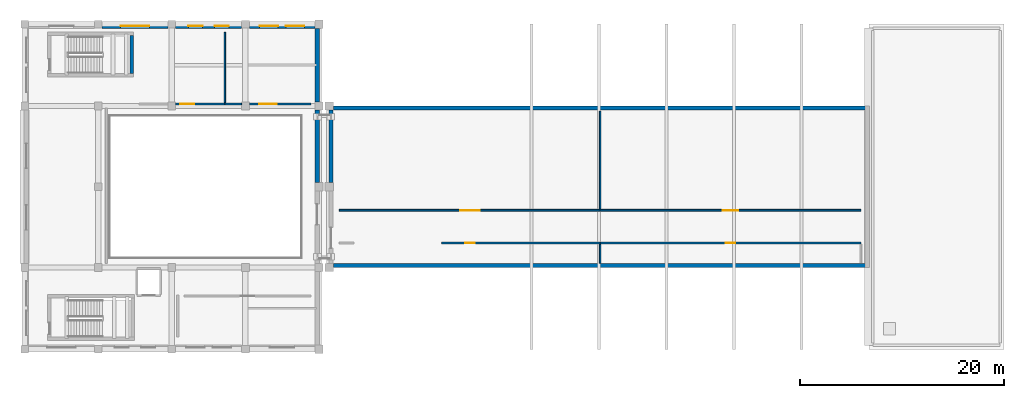
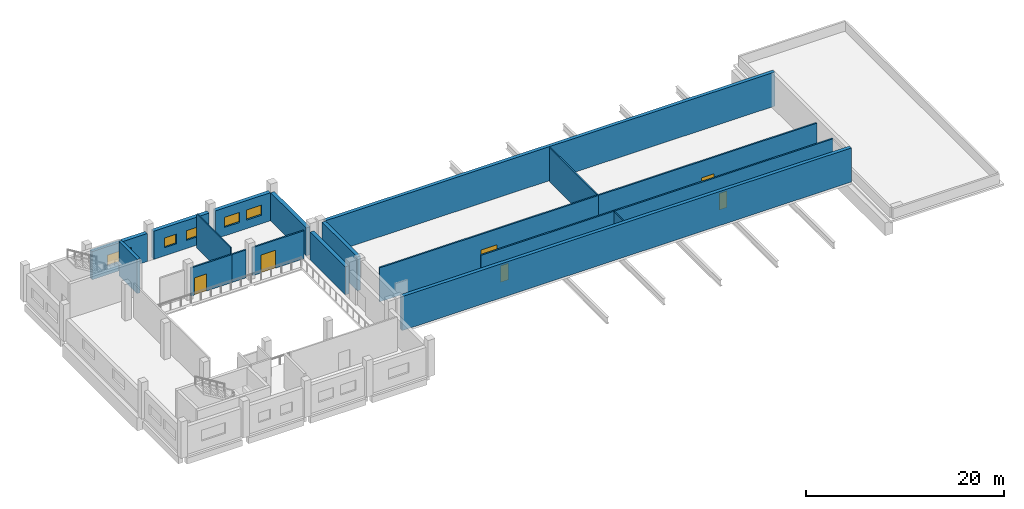
# One storey, part 4 of 7: 19 walls, 6 doors, 5 windows, 11 openings.
"""IFC4 building model written with IfcOpenShell, lengths in metres."""

import ifcopenshell
import ifcopenshell.guid

model = None  # the IFC model being written
_history = None  # IfcOwnerHistory: only IFC2X3 demands one
_inside = {}  # id of a spatial element -> (the spatial element, [elements in it])
_under = {}  # id of a project, library or spatial element -> (it, [spatial elements below it])
_declared = {}  # id of a project -> (the project, [libraries it declares])
_typed = {}  # id of a type object -> (the type object, [elements of that type])
_made_of = {}  # id of a material, layer set ... -> (it, [elements and type objects made of it])


def new_model(schema):
    """Start an empty IFC model of exactly this schema.

    Asked for "IFC4X3", IfcOpenShell would pick the latest addendum, in which some entities
    have other attributes; the version numbers below select the first issue.
    IFC2X3 requires an IfcOwnerHistory on every rooted entity: one is made here for all.
    """
    global model, _history
    if schema == "IFC4X3":
        model = ifcopenshell.file(schema_version=(4, 3, 0, 0))
    else:
        model = ifcopenshell.file(schema=schema)
    _inside.clear()
    _under.clear()
    _declared.clear()
    _typed.clear()
    _made_of.clear()
    _history = None
    if model.schema == "IFC2X3":
        org = make("IfcOrganization", Name="unknown")
        user = make(
            "IfcPersonAndOrganization",
            ThePerson=make("IfcPerson", FamilyName="unknown"),
            TheOrganization=org,
        )
        app = make(
            "IfcApplication",
            ApplicationDeveloper=org,
            Version="unknown",
            ApplicationFullName="unknown",
            ApplicationIdentifier="unknown",
        )
        _history = make(
            "IfcOwnerHistory",
            OwningUser=user,
            OwningApplication=app,
            ChangeAction="ADDED",
            CreationDate=0,
        )
    return model


def make(cls, **values):
    """One entity of the class cls with the attributes given. An attribute that is None is left unset."""
    return model.create_entity(
        cls, **{name: value for name, value in values.items() if value is not None}
    )


def rooted(cls, **values):
    """An entity with a GlobalId (a new one), such as an element, a storey or a relation."""
    return make(cls, GlobalId=ifcopenshell.guid.new(), OwnerHistory=_history, **values)


def si_unit(unit_type, name, prefix=None):
    """IfcSIUnit, for example si_unit("LENGTHUNIT", "METRE", prefix="MILLI")."""
    return make("IfcSIUnit", UnitType=unit_type, Prefix=prefix, Name=name)


def assignment(units):
    """IfcUnitAssignment: the units of a project."""
    return None if units is None else make("IfcUnitAssignment", Units=units)


def point(xyz):
    """IfcCartesianPoint."""
    return None if xyz is None else make("IfcCartesianPoint", Coordinates=xyz)


def direction(xyz):
    """IfcDirection."""
    return None if xyz is None else make("IfcDirection", DirectionRatios=xyz)


def frame(location, z_axis=None, x_axis=None):
    """IfcAxis2Placement3D, a coordinate frame: its origin and axes. An axis left out is left unset."""
    return make(
        "IfcAxis2Placement3D",
        Location=point(location),
        Axis=direction(z_axis),
        RefDirection=direction(x_axis),
    )


def frame_2d(location, x_axis=None):
    """IfcAxis2Placement2D, a coordinate frame in the plane: its origin and x axis."""
    return make(
        "IfcAxis2Placement2D", Location=point(location), RefDirection=direction(x_axis)
    )


def origin():
    """The frame at (0, 0, 0) with its axes left unset."""
    return frame((0.0, 0.0, 0.0))


def place(relative_to, where):
    """IfcLocalPlacement: puts the frame where relative to a parent placement (None: the world)."""
    return make(
        "IfcLocalPlacement", PlacementRelTo=relative_to, RelativePlacement=where
    )


def context(
    kind, dimensions, precision=None, world=None, true_north=None, identifier=None
):
    """IfcGeometricRepresentationContext, for example the 3D "Model" context."""
    return make(
        "IfcGeometricRepresentationContext",
        ContextIdentifier=identifier,
        ContextType=kind,
        CoordinateSpaceDimension=dimensions,
        Precision=precision,
        WorldCoordinateSystem=world,
        TrueNorth=true_north,
    )


def subcontext(parent, identifier, kind, view, scale=None):
    """IfcGeometricRepresentationSubContext, for example "Body" below "Model"."""
    return make(
        "IfcGeometricRepresentationSubContext",
        ContextIdentifier=identifier,
        ContextType=kind,
        ParentContext=parent,
        TargetScale=scale,
        TargetView=view,
    )


def project(units=None, contexts=None):
    """IfcProject with its units and contexts."""
    return rooted(
        "IfcProject",
        Name="project",
        RepresentationContexts=contexts,
        UnitsInContext=assignment(units),
    )


def spatial(cls, under=None, at=None, **own):
    """A site, building, storey or space (cls), placed at a placement, below another one or the project."""
    s = rooted(cls, ObjectPlacement=at, **own)
    if under is not None:
        _under.setdefault(under.id(), (under, []))[1].append(s)
    return s


def profile(cls, at=None, kind="AREA", **sizes):
    """A parametric profile (cls). Its sizes go by their IFC names, for example OverallWidth=200.0."""
    return make(cls, ProfileType=kind, Position=at, **sizes)


def rectangle(**sizes):
    """IfcRectangleProfileDef."""
    return profile("IfcRectangleProfileDef", **sizes)


def extrude(swept, where, along, depth):
    """IfcExtrudedAreaSolid: the profile swept, set in the frame where, extruded along a direction by depth."""
    return make(
        "IfcExtrudedAreaSolid",
        SweptArea=swept,
        Position=where,
        ExtrudedDirection=direction(along),
        Depth=depth,
    )


def shape(context_of_items, identifier, shape_type, items):
    """IfcShapeRepresentation: the items that make up one representation, for example the "Body"."""
    return make(
        "IfcShapeRepresentation",
        ContextOfItems=context_of_items,
        RepresentationIdentifier=identifier,
        RepresentationType=shape_type,
        Items=items,
    )


def material(Name=None, Category=None):
    """IfcMaterial."""
    return make("IfcMaterial", Name=Name, Category=Category)


def layer(
    of_material, thickness, ventilated=None, Name=None, Category=None, Priority=None
):
    """IfcMaterialLayer: one layer of a wall or slab, of a material (None: an air gap)."""
    return make(
        "IfcMaterialLayer",
        Material=of_material,
        LayerThickness=thickness,
        IsVentilated=ventilated,
        Name=Name,
        Category=Category,
        Priority=Priority,
    )


def layer_set(layers, Name=None):
    """IfcMaterialLayerSet."""
    return make("IfcMaterialLayerSet", MaterialLayers=layers, LayerSetName=Name)


def made_of(thing, what):
    """Note that an element or type object is made of a material, layer set ...; save() writes the relation."""
    if what is not None:
        _made_of.setdefault(what.id(), (what, []))[1].append(thing)
    return thing


def type_object(cls, material=None, **own):
    """A type object (cls), such as IfcWallType, which elements share."""
    return made_of(rooted(cls, **own), material)


def element(
    cls,
    number,
    at=None,
    inside=None,
    cuts=None,
    type_object=None,
    material=None,
    context=None,
    identifier="Body",
    shape_type=None,
    held_by="IfcProductDefinitionShape",
    body=None,
    shapes=None,
    **own,
):
    """One element of the class cls, such as IfcWall. Its Tag is "e" and its number.

    at: its placement. inside: the storey or other place that contains it. cuts: it is an
    opening in that element (IfcRelVoidsElement). A single representation is given by context,
    identifier, shape_type and body (its items); several are given by shapes. held_by: the class
    of the entity that holds the representations. save() writes the other relations.
    """
    e = rooted(cls, Tag="e%d" % number, ObjectPlacement=at, **own)
    if body is not None:
        shapes = [shape(context, identifier, shape_type, body)]
    if shapes is not None:
        e.Representation = make(held_by, Representations=shapes)
    if inside is not None:
        _inside.setdefault(inside.id(), (inside, []))[1].append(e)
    if cuts is not None:
        rooted(
            "IfcRelVoidsElement", RelatingBuildingElement=cuts, RelatedOpeningElement=e
        )
    if type_object is not None:
        _typed.setdefault(type_object.id(), (type_object, []))[1].append(e)
    return made_of(e, material)


def fill(opening, filler):
    """IfcRelFillsElement: the door or window that sits in an opening."""
    return rooted(
        "IfcRelFillsElement",
        RelatingOpeningElement=opening,
        RelatedBuildingElement=filler,
    )


def aggregate(whole, parts):
    """IfcRelAggregates: a whole, such as a stair, and the parts it consists of."""
    return rooted("IfcRelAggregates", RelatingObject=whole, RelatedObjects=parts)


def save(model, path):
    """Write the relations noted so far, then the file.

    IfcRelAggregates (storeys below a building ...), IfcRelContainedInSpatialStructure (elements
    in a storey), IfcRelDefinesByType, IfcRelAssociatesMaterial and IfcRelDeclares: one each for
    every whole, place, type object, material and project.
    """
    for whole, parts in _under.values():
        aggregate(whole, parts)
    for where, things in _inside.values():
        rooted(
            "IfcRelContainedInSpatialStructure",
            RelatedElements=things,
            RelatingStructure=where,
        )
    for kind, things in _typed.values():
        rooted("IfcRelDefinesByType", RelatedObjects=things, RelatingType=kind)
    for what, things in _made_of.values():
        rooted("IfcRelAssociatesMaterial", RelatedObjects=things, RelatingMaterial=what)
    for by, libraries in _declared.values():
        rooted("IfcRelDeclares", RelatingContext=by, RelatedDefinitions=libraries)
    model.write(path)


model = new_model("IFC4")

# Units and contexts
model_context = context("Model", 3, precision=1e-05, world=origin(), true_north=direction((0.0, 1.0)))
body_context = subcontext(model_context, "Body", "Model", "MODEL_VIEW")
ifc_project = project(units=[si_unit("LENGTHUNIT", "METRE"), si_unit("AREAUNIT", "SQUARE_METRE"), si_unit("VOLUMEUNIT", "CUBIC_METRE"), si_unit("PLANEANGLEUNIT", "RADIAN"), si_unit("MASSUNIT", "GRAM", prefix="KILO")], contexts=[model_context])

# Site, building, storey
site_placement = place(None, origin())
site = spatial("IfcSite", under=ifc_project, at=site_placement, CompositionType="ELEMENT")
building_placement = place(site_placement, origin())
building = spatial("IfcBuilding", under=site, at=building_placement, Name="Kelarvand Opera House", CompositionType="ELEMENT")
storey_placement = place(building_placement, frame((0.0, 0.0, 24.0)))
storey = spatial("IfcBuildingStorey", under=building, at=storey_placement, Name="L05", CompositionType="ELEMENT", Elevation=24.0)

# Walls
ifc_material_1 = material(Name="Concrete C35/45", Category="concrete")
ifc_layer_1 = layer(ifc_material_1, 0.39990234375, Name="Concrete C35/45", Category="concrete")
ifc_layer_set_1 = layer_set([ifc_layer_1], Name="Concrete C35/45")
wall_type_1 = type_object("IfcWallType", Name="Acoustic Brick-Travertine Double Wall 400", PredefinedType="SOLIDWALL", material=ifc_layer_set_1)
wall_1_placement = place(storey_placement, frame((89.409912109375, 70.219970703125, 0.0), z_axis=(0.0, 0.0, 1.0), x_axis=(1.0, 0.0, 0.0)))
element("IfcWall", 1, at=wall_1_placement, inside=storey, type_object=wall_type_1, Name="V1 L05 Exterior Wall EW-400 (172)", PredefinedType="SOLIDWALL", context=body_context, shape_type="SweptSolid", body=[
    extrude(rectangle(XDim=52.39013671875, YDim=0.39990234375, at=frame_2d((26.195068359375, 0.0))), origin(), (0.0, 0.0, 1.0), 4.199951171875),
])
wall_2_placement = place(storey_placement, frame((89.179931640625, 62.909912109375, 0.0), z_axis=(0.0, 0.0, 1.0), x_axis=(0.0, 1.0, 0.0)))
element("IfcWall", 2, at=wall_2_placement, inside=storey, type_object=wall_type_1, Name="V1 L05 Exterior Wall EW-400 (174)", PredefinedType="SOLIDWALL", context=body_context, shape_type="SweptSolid", body=[
    extrude(rectangle(XDim=7.080078125, YDim=0.39990234375, at=frame_2d((3.5400390625, 0.0))), origin(), (0.0, 0.0, 1.0), 4.199951171875),
])
wall_3_placement = place(storey_placement, frame((141.800048828125, 54.780029296875, 0.0), z_axis=(0.0, 0.0, 1.0), x_axis=(-1.0, 0.0, 0.0)))
element("IfcWall", 3, at=wall_3_placement, inside=storey, type_object=wall_type_1, Name="V1 L05 Exterior Wall EW-400 (175)", PredefinedType="SOLIDWALL", context=body_context, shape_type="SweptSolid", body=[
    extrude(rectangle(XDim=52.39013671875, YDim=0.39990234375, at=frame_2d((26.195068359375, 0.0))), origin(), (0.0, 0.0, 1.0), 4.199951171875),
])
ifc_material_2 = material(Name="Acoustic double-stud gypsum partition")
ifc_layer_2 = layer(ifc_material_2, 0.14990234375, Name="Acoustic double-stud gypsum partition")
ifc_layer_set_2 = layer_set([ifc_layer_2], Name="Acoustic double-stud gypsum partition")
wall_type_2 = type_object("IfcWallType", Name="Acoustic Room Partition Wall 150", PredefinedType="PARTITIONING", material=ifc_layer_set_2)
wall_4_placement = place(storey_placement, frame((115.5, 60.340087890625, 0.0), z_axis=(0.0, 0.0, 1.0), x_axis=(0.0, 1.0, 0.0)))
element("IfcWall", 4, at=wall_4_placement, inside=storey, type_object=wall_type_2, Name="V1 L05 Partition Wall IW-150 (664)", PredefinedType="PARTITIONING", context=body_context, shape_type="SweptSolid", body=[
    extrude(rectangle(XDim=9.559814453125, YDim=0.14990234375, at=frame_2d((4.77978515625, 0.0))), origin(), (0.0, 0.0, 1.0), 4.19189453125),
])
wall_5_placement = place(storey_placement, frame((115.5, 55.0, 0.0), z_axis=(0.0, 0.0, 1.0), x_axis=(0.0, 1.0, 0.0)))
element("IfcWall", 5, at=wall_5_placement, inside=storey, type_object=wall_type_2, Name="V1 L05 Partition Wall IW-150 (668)", PredefinedType="PARTITIONING", context=body_context, shape_type="SweptSolid", body=[
    extrude(rectangle(XDim=1.860107421875, YDim=0.14990234375, at=frame_2d((0.93017578125, 0.0))), origin(), (0.0, 0.0, 1.0), 4.19189453125),
])
wall_6_placement = place(storey_placement, frame((78.800048828125, 70.739990234375, 0.0), z_axis=(0.0, 0.0, 1.0), x_axis=(0.0, 1.0, 0.0)))
element("IfcWall", 6, at=wall_6_placement, inside=storey, type_object=wall_type_2, Name="V2 L05 Partition Wall IW-150 (673)", PredefinedType="PARTITIONING", context=body_context, shape_type="SweptSolid", body=[
    extrude(rectangle(XDim=6.860107421875, YDim=0.14990234375, at=frame_2d((3.43017578125, 0.0))), origin(), (0.0, 0.0, 1.0), 4.19189453125),
])
ifc_material_3 = material(Name="Concrete C40/50", Category="concrete")
ifc_layer_3 = layer(ifc_material_3, 0.35009765625, Name="Concrete C40/50", Category="concrete")
ifc_layer_set_3 = layer_set([ifc_layer_3], Name="Concrete C40/50")
wall_type_3 = type_object("IfcWallType", Name="Core Stair and Lift Shear Wall 350", PredefinedType="SHEAR", material=ifc_layer_set_3)
wall_7_placement = place(storey_placement, frame((69.675048828125, 77.300048828125, 0.0), z_axis=(0.0, 0.0, 1.0), x_axis=(0.0, -1.0, 0.0)))
element("IfcWall", 7, at=wall_7_placement, inside=storey, type_object=wall_type_3, Name="C3 Stair Core Shear Wall E L05", PredefinedType="SHEAR", context=body_context, shape_type="SweptSolid", body=[
    extrude(rectangle(XDim=3.699951171875, YDim=0.35009765625, at=frame_2d((1.85009765625, 0.0))), origin(), (0.0, 0.0, 1.0), 4.219970703125),
])

# Wall, opening, door
ifc_layer_4 = layer(ifc_material_1, 0.179931640625, Name="Concrete C35/45", Category="concrete")
ifc_layer_set_4 = layer_set([ifc_layer_4], Name="Concrete C35/45")
wall_type_4 = type_object("IfcWallType", Name="Corridor Fire-Rated Partition Wall 180 EI90", PredefinedType="PARTITIONING", material=ifc_layer_set_4)
wall_8_placement = place(storey_placement, frame((90.0, 60.199951171875, 0.0), z_axis=(0.0, 0.0, 1.0), x_axis=(1.0, 0.0, 0.0)))
wall_8 = element("IfcWall", 8, at=wall_8_placement, inside=storey, type_object=wall_type_4, Name="V1 L05 Partition Wall IW-90 (663)", PredefinedType="PARTITIONING", context=body_context, shape_type="SweptSolid", body=[
    extrude(rectangle(XDim=25.5, YDim=0.179931640625, at=frame_2d((12.75, 0.0))), origin(), (0.0, 0.0, 1.0), 4.19189453125),
])
opening_1_placement = place(wall_8_placement, frame((11.800048828125, 0.0, 0.0)))
opening_1 = element("IfcOpeningElement", 9, at=opening_1_placement, cuts=wall_8, Name="Opening D-16", PredefinedType="OPENING", context=body_context, shape_type="SweptSolid", body=[
    extrude(rectangle(XDim=1.89990234375, YDim=2.260009765625, at=frame_2d((0.949951171875, 1.1298828125))), frame((0.0, 0.10009765625, 0.0), z_axis=(0.0, -1.0, 0.0), x_axis=(1.0, 0.0, 0.0)), (0.0, 0.0, 1.0), 0.199951171875),
])
ifc_material_4 = material(Name="Acoustic walnut-veneered hardwood", Category="wood")
door_type_1 = type_object("IfcDoorType", Name="Orchestra Warm-Up Double Door 1900x2260", OperationType="NOTDEFINED", PredefinedType="DOOR", material=ifc_material_4)
door_1_placement = place(opening_1_placement, origin())
door_1 = element("IfcDoor", 10, at=door_1_placement, inside=storey, type_object=door_type_1, Name="V1 L05 Door D-16 (298)", OperationType="DOUBLE_DOOR_SINGLE_SWING", OverallHeight=2.260009765625, OverallWidth=1.89990234375, PredefinedType="DOOR", context=body_context, shape_type="SweptSolid", body=[
    extrude(rectangle(XDim=1.89990234375, YDim=2.260009765625, at=frame_2d((0.949951171875, 1.1298828125))), frame((0.0, 0.02490234375, 0.0), z_axis=(0.0, -1.0, 0.0), x_axis=(1.0, 0.0, 0.0)), (0.0, 0.0, 1.0), 0.050048828125),
])
fill(opening_1, door_1)

wall_9_placement = place(storey_placement, frame((115.5, 60.199951171875, 0.0), z_axis=(0.0, 0.0, 1.0), x_axis=(1.0, 0.0, 0.0)))
wall_9 = element("IfcWall", 11, at=wall_9_placement, inside=storey, type_object=wall_type_4, Name="V1 L05 Partition Wall IW-90 (665)", PredefinedType="PARTITIONING", context=body_context, shape_type="SweptSolid", body=[
    extrude(rectangle(XDim=25.5, YDim=0.179931640625, at=frame_2d((12.75, 0.0))), origin(), (0.0, 0.0, 1.0), 4.19189453125),
])
opening_2_placement = place(wall_9_placement, frame((12.0, 0.0, 0.0)))
opening_2 = element("IfcOpeningElement", 12, at=opening_2_placement, cuts=wall_9, Name="Opening D-07", PredefinedType="OPENING", context=body_context, shape_type="SweptSolid", body=[
    extrude(rectangle(XDim=1.5, YDim=2.14990234375, at=frame_2d((0.75, 1.074951171875))), frame((0.0, 0.10009765625, 0.0), z_axis=(0.0, -1.0, 0.0), x_axis=(1.0, 0.0, 0.0)), (0.0, 0.0, 1.0), 0.199951171875),
])
door_type_2 = type_object("IfcDoorType", Name="Rehearsal Instrument Double Door 1500x2150", OperationType="NOTDEFINED", PredefinedType="DOOR", material=ifc_material_4)
door_2_placement = place(opening_2_placement, origin())
door_2 = element("IfcDoor", 13, at=door_2_placement, inside=storey, type_object=door_type_2, Name="V1 L05 Door D-07 (299)", OperationType="DOUBLE_DOOR_SINGLE_SWING", OverallHeight=2.14990234375, OverallWidth=1.5, PredefinedType="DOOR", context=body_context, shape_type="SweptSolid", body=[
    extrude(rectangle(XDim=1.5, YDim=2.14990234375, at=frame_2d((0.75, 1.074951171875))), frame((0.0, 0.02490234375, 0.0), z_axis=(0.0, -1.0, 0.0), x_axis=(1.0, 0.0, 0.0)), (0.0, 0.0, 1.0), 0.050048828125),
])
fill(opening_2, door_2)

wall_10_placement = place(storey_placement, frame((99.97998046875, 57.0, 0.0), z_axis=(0.0, 0.0, 1.0), x_axis=(1.0, 0.0, 0.0)))
wall_10 = element("IfcWall", 14, at=wall_10_placement, inside=storey, type_object=wall_type_4, Name="V1 L05 Partition Wall IW-90 (667)", PredefinedType="PARTITIONING", context=body_context, shape_type="SweptSolid", body=[
    extrude(rectangle(XDim=15.52001953125, YDim=0.179931640625, at=frame_2d((7.760009765625, 0.0))), origin(), (0.0, 0.0, 1.0), 4.19189453125),
])
opening_3_placement = place(wall_10_placement, frame((2.31005859375, 0.0, 0.0)))
opening_3 = element("IfcOpeningElement", 15, at=opening_3_placement, cuts=wall_10, Name="Opening D-01", PredefinedType="OPENING", context=body_context, shape_type="SweptSolid", body=[
    extrude(rectangle(XDim=0.919921875, YDim=2.050048828125, at=frame_2d((0.4599609375, 1.02490234375))), frame((0.0, 0.10009765625, 0.0), z_axis=(0.0, -1.0, 0.0), x_axis=(1.0, 0.0, 0.0)), (0.0, 0.0, 1.0), 0.199951171875),
])
door_type_3 = type_object("IfcDoorType", Name="Solid Timber Dressing and WC Door 920x2050", OperationType="NOTDEFINED", PredefinedType="DOOR", material=ifc_material_4)
door_3_placement = place(opening_3_placement, origin())
door_3 = element("IfcDoor", 16, at=door_3_placement, inside=storey, type_object=door_type_3, Name="V1 L05 Door D-01 (300)", OperationType="SINGLE_SWING_LEFT", OverallHeight=2.050048828125, OverallWidth=0.919921875, PredefinedType="DOOR", context=body_context, shape_type="SweptSolid", body=[
    extrude(rectangle(XDim=0.919921875, YDim=2.050048828125, at=frame_2d((0.4599609375, 1.02490234375))), frame((0.0, 0.02490234375, 0.0), z_axis=(0.0, -1.0, 0.0), x_axis=(1.0, 0.0, 0.0)), (0.0, 0.0, 1.0), 0.050048828125),
])
fill(opening_3, door_3)

wall_11_placement = place(storey_placement, frame((115.5, 57.0, 0.0), z_axis=(0.0, 0.0, 1.0), x_axis=(1.0, 0.0, 0.0)))
wall_11 = element("IfcWall", 17, at=wall_11_placement, inside=storey, type_object=wall_type_4, Name="V1 L05 Partition Wall IW-90 (670)", PredefinedType="PARTITIONING", context=body_context, shape_type="SweptSolid", body=[
    extrude(rectangle(XDim=25.5, YDim=0.179931640625, at=frame_2d((12.75, 0.0))), origin(), (0.0, 0.0, 1.0), 4.19189453125),
])
opening_4_placement = place(wall_11_placement, frame((12.2900390625, 0.0, 0.0)))
opening_4 = element("IfcOpeningElement", 18, at=opening_4_placement, cuts=wall_11, Name="Opening D-01", PredefinedType="OPENING", context=body_context, shape_type="SweptSolid", body=[
    extrude(rectangle(XDim=0.919921875, YDim=2.050048828125, at=frame_2d((0.4599609375, 1.02490234375))), frame((0.0, 0.10009765625, 0.0), z_axis=(0.0, -1.0, 0.0), x_axis=(1.0, 0.0, 0.0)), (0.0, 0.0, 1.0), 0.199951171875),
])
door_4_placement = place(opening_4_placement, origin())
door_4 = element("IfcDoor", 19, at=door_4_placement, inside=storey, type_object=door_type_3, Name="V1 L05 Door D-01 (301)", OperationType="SINGLE_SWING_RIGHT", OverallHeight=2.050048828125, OverallWidth=0.919921875, PredefinedType="DOOR", context=body_context, shape_type="SweptSolid", body=[
    extrude(rectangle(XDim=0.919921875, YDim=2.050048828125, at=frame_2d((0.4599609375, 1.02490234375))), frame((0.0, 0.02490234375, 0.0), z_axis=(0.0, -1.0, 0.0), x_axis=(1.0, 0.0, 0.0)), (0.0, 0.0, 1.0), 0.050048828125),
])
fill(opening_4, door_4)

wall_12_placement = place(storey_placement, frame((73.97509765625, 70.60009765625, 0.0), z_axis=(0.0, 0.0, 1.0), x_axis=(1.0, 0.0, 0.0)))
wall_12 = element("IfcWall", 20, at=wall_12_placement, inside=storey, type_object=wall_type_4, Name="V2 L05 Partition Wall IW-90 (672)", PredefinedType="PARTITIONING", context=body_context, shape_type="SweptSolid", body=[
    extrude(rectangle(XDim=4.824951171875, YDim=0.179931640625, at=frame_2d((2.41259765625, 0.0))), origin(), (0.0, 0.0, 1.0), 3.4619140625),
])
opening_5_placement = place(wall_12_placement, frame((0.443115234375, 0.0, 0.0)))
opening_5 = element("IfcOpeningElement", 21, at=opening_5_placement, cuts=wall_12, Name="Opening D-03", PredefinedType="OPENING", context=body_context, shape_type="SweptSolid", body=[
    extrude(rectangle(XDim=1.39990234375, YDim=2.1201171875, at=frame_2d((0.699951171875, 1.06005859375))), frame((0.0, 0.10009765625, 0.0), z_axis=(0.0, -1.0, 0.0), x_axis=(1.0, 0.0, 0.0)), (0.0, 0.0, 1.0), 0.199951171875),
])
door_type_4 = type_object("IfcDoorType", Name="Plant and Archive Double Leaf Door 1400x2120", OperationType="NOTDEFINED", PredefinedType="DOOR", material=ifc_material_4)
door_5_placement = place(opening_5_placement, origin())
door_5 = element("IfcDoor", 22, at=door_5_placement, inside=storey, type_object=door_type_4, Name="V2 L05 Door D-03 (302)", OperationType="DOUBLE_DOOR_SINGLE_SWING", OverallHeight=2.1201171875, OverallWidth=1.39990234375, PredefinedType="DOOR", context=body_context, shape_type="SweptSolid", body=[
    extrude(rectangle(XDim=1.39990234375, YDim=2.1201171875, at=frame_2d((0.699951171875, 1.06005859375))), frame((0.0, 0.02490234375, 0.0), z_axis=(0.0, -1.0, 0.0), x_axis=(1.0, 0.0, 0.0)), (0.0, 0.0, 1.0), 0.050048828125),
])
fill(opening_5, door_5)

# Wall
wall_13_placement = place(storey_placement, frame((78.800048828125, 70.60009765625, 0.0), z_axis=(0.0, 0.0, 1.0), x_axis=(1.0, 0.0, 0.0)))
element("IfcWall", 23, at=wall_13_placement, inside=storey, type_object=wall_type_4, Name="V2 L05 Partition Wall IW-90 (674)", PredefinedType="PARTITIONING", context=body_context, shape_type="SweptSolid", body=[
    extrude(rectangle(XDim=1.625, YDim=0.179931640625, at=frame_2d((0.8125, 0.0))), origin(), (0.0, 0.0, 1.0), 3.4619140625),
])

# Wall, opening, door
wall_14_placement = place(storey_placement, frame((81.175048828125, 70.60009765625, 0.0), z_axis=(0.0, 0.0, 1.0), x_axis=(1.0, 0.0, 0.0)))
wall_14 = element("IfcWall", 24, at=wall_14_placement, inside=storey, type_object=wall_type_4, Name="V2 L05 Partition Wall IW-90 (675)", PredefinedType="PARTITIONING", context=body_context, shape_type="SweptSolid", body=[
    extrude(rectangle(XDim=6.02490234375, YDim=0.179931640625, at=frame_2d((3.012451171875, 0.0))), origin(), (0.0, 0.0, 1.0), 3.4619140625),
])
opening_6_placement = place(wall_14_placement, frame((0.965087890625, 0.0, 0.0)))
opening_6 = element("IfcOpeningElement", 25, at=opening_6_placement, cuts=wall_14, Name="Opening D-15", PredefinedType="OPENING", context=body_context, shape_type="SweptSolid", body=[
    extrude(rectangle(XDim=1.719970703125, YDim=2.219970703125, at=frame_2d((0.85986328125, 1.10986328125))), frame((0.0, 0.10009765625, 0.0), z_axis=(0.0, -1.0, 0.0), x_axis=(1.0, 0.0, 0.0)), (0.0, 0.0, 1.0), 0.199951171875),
])
door_type_5 = type_object("IfcDoorType", Name="Broadcast Control Double Door 1720x2220", OperationType="NOTDEFINED", PredefinedType="DOOR", material=ifc_material_4)
door_6_placement = place(opening_6_placement, origin())
door_6 = element("IfcDoor", 26, at=door_6_placement, inside=storey, type_object=door_type_5, Name="V2 L05 Door D-15 (303)", OperationType="DOUBLE_DOOR_SINGLE_SWING", OverallHeight=2.219970703125, OverallWidth=1.719970703125, PredefinedType="DOOR", context=body_context, shape_type="SweptSolid", body=[
    extrude(rectangle(XDim=1.719970703125, YDim=2.219970703125, at=frame_2d((0.85986328125, 1.10986328125))), frame((0.0, 0.02490234375, 0.0), z_axis=(0.0, -1.0, 0.0), x_axis=(1.0, 0.0, 0.0)), (0.0, 0.0, 1.0), 0.050048828125),
])
fill(opening_6, door_6)

# Walls
ifc_layer_5 = layer(ifc_material_1, 0.43994140625, Name="Concrete C35/45", Category="concrete")
ifc_layer_set_5 = layer_set([ifc_layer_5], Name="Concrete C35/45")
wall_type_5 = type_object("IfcWallType", Name="Stage House Acoustic Cavity Wall 440", PredefinedType="SOLIDWALL", material=ifc_layer_set_5)
wall_15_placement = place(storey_placement, frame((87.820068359375, 77.989990234375, 0.0), z_axis=(0.0, 0.0, 1.0), x_axis=(0.0, -1.0, 0.0)))
element("IfcWall", 27, at=wall_15_placement, inside=storey, type_object=wall_type_5, Name="V2 L05 Exterior Wall EW-440 (317)", PredefinedType="SOLIDWALL", context=body_context, shape_type="SweptSolid", body=[
    extrude(rectangle(XDim=7.179931640625, YDim=0.43994140625, at=frame_2d((3.58984375, 0.0))), origin(), (0.0, 0.0, 1.0), 3.4619140625),
])
wall_16_placement = place(storey_placement, frame((87.820068359375, 69.989990234375, 0.0), z_axis=(0.0, 0.0, 1.0), x_axis=(0.0, -1.0, 0.0)))
element("IfcWall", 28, at=wall_16_placement, inside=storey, type_object=wall_type_5, Name="V2 L05 Exterior Wall EW-440 (318)", PredefinedType="SOLIDWALL", context=body_context, shape_type="SweptSolid", body=[
    extrude(rectangle(XDim=7.080078125, YDim=0.43994140625, at=frame_2d((3.5400390625, 0.0))), origin(), (0.0, 0.0, 1.0), 3.4619140625),
])

# Wall, opening, window
wall_17_placement = place(storey_placement, frame((66.77490234375, 78.219970703125, 0.0), z_axis=(0.0, 0.0, 1.0), x_axis=(1.0, 0.0, 0.0)))
wall_17 = element("IfcWall", 29, at=wall_17_placement, inside=storey, type_object=wall_type_5, Name="V2 L05 Exterior Wall EW-440 (322)", PredefinedType="SOLIDWALL", context=body_context, shape_type="SweptSolid", body=[
    extrude(rectangle(XDim=6.4501953125, YDim=0.43994140625, at=frame_2d((3.22509765625, 0.0))), origin(), (0.0, 0.0, 1.0), 3.4619140625),
])
opening_7_placement = place(wall_17_placement, frame((1.824951171875, 0.0, 1.050048828125)))
opening_7 = element("IfcOpeningElement", 30, at=opening_7_placement, cuts=wall_17, Name="Opening WN-21", PredefinedType="OPENING", context=body_context, shape_type="SweptSolid", body=[
    extrude(rectangle(XDim=2.800048828125, YDim=1.35009765625, at=frame_2d((1.39990234375, 0.675048828125))), frame((0.0, 0.22998046875, 0.0), z_axis=(0.0, -1.0, 0.0), x_axis=(1.0, 0.0, 0.0)), (0.0, 0.0, 1.0), 0.4599609375),
])
ifc_material_5 = material(Name="Thermally broken aluminium and low-E double glazing", Category="aluminium")
window_type_1 = type_object("IfcWindowType", Name="Recessed Aluminium Thermal Window 2800x1350 WN-21", PartitioningType="SINGLE_PANEL", PredefinedType="WINDOW", material=ifc_material_5)
window_1_placement = place(opening_7_placement, origin())
window_1 = element("IfcWindow", 31, at=window_1_placement, inside=storey, type_object=window_type_1, Name="V2 L05 Facade Window WN-21 (105)", OverallHeight=1.35009765625, OverallWidth=2.800048828125, PartitioningType="SINGLE_PANEL", PredefinedType="WINDOW", context=body_context, shape_type="SweptSolid", body=[
    extrude(rectangle(XDim=2.800048828125, YDim=1.35009765625, at=frame_2d((1.39990234375, 0.675048828125))), frame((0.0, 0.030029296875, 0.0), z_axis=(0.0, -1.0, 0.0), x_axis=(1.0, 0.0, 0.0)), (0.0, 0.0, 1.0), 0.06005859375),
])
fill(opening_7, window_1)

# Wall, openings, windows
wall_18_placement = place(storey_placement, frame((73.97509765625, 78.219970703125, 0.0), z_axis=(0.0, 0.0, 1.0), x_axis=(1.0, 0.0, 0.0)))
wall_18 = element("IfcWall", 32, at=wall_18_placement, inside=storey, type_object=wall_type_5, Name="V2 L05 Exterior Wall EW-440 (323)", PredefinedType="SOLIDWALL", context=body_context, shape_type="SweptSolid", body=[
    extrude(rectangle(XDim=6.449951171875, YDim=0.43994140625, at=frame_2d((3.22509765625, 0.0))), origin(), (0.0, 0.0, 1.0), 3.4619140625),
])
opening_8_placement = place(wall_18_placement, frame((1.235107421875, 0.0, 1.0)))
opening_8 = element("IfcOpeningElement", 33, at=opening_8_placement, cuts=wall_18, Name="Opening WN-24", PredefinedType="OPENING", context=body_context, shape_type="SweptSolid", body=[
    extrude(rectangle(XDim=1.39990234375, YDim=1.199951171875, at=frame_2d((0.699951171875, 0.60009765625))), frame((0.0, 0.22998046875, 0.0), z_axis=(0.0, -1.0, 0.0), x_axis=(1.0, 0.0, 0.0)), (0.0, 0.0, 1.0), 0.4599609375),
])
opening_9_placement = place(wall_18_placement, frame((3.81494140625, 0.0, 1.0)))
opening_9 = element("IfcOpeningElement", 34, at=opening_9_placement, cuts=wall_18, Name="Opening WN-24", PredefinedType="OPENING", context=body_context, shape_type="SweptSolid", body=[
    extrude(rectangle(XDim=1.39990234375, YDim=1.199951171875, at=frame_2d((0.699951171875, 0.60009765625))), frame((0.0, 0.22998046875, 0.0), z_axis=(0.0, -1.0, 0.0), x_axis=(1.0, 0.0, 0.0)), (0.0, 0.0, 1.0), 0.4599609375),
])
window_type_2 = type_object("IfcWindowType", Name="Recessed Aluminium Thermal Window 1400x1200 WN-24", PartitioningType="SINGLE_PANEL", PredefinedType="WINDOW", material=ifc_material_5)
window_2_placement = place(opening_8_placement, origin())
window_2 = element("IfcWindow", 35, at=window_2_placement, inside=storey, type_object=window_type_2, Name="V2 L05 Facade Window WN-24 (106)", OverallHeight=1.199951171875, OverallWidth=1.39990234375, PartitioningType="SINGLE_PANEL", PredefinedType="WINDOW", context=body_context, shape_type="SweptSolid", body=[
    extrude(rectangle(XDim=1.39990234375, YDim=1.199951171875, at=frame_2d((0.699951171875, 0.60009765625))), frame((0.0, 0.030029296875, 0.0), z_axis=(0.0, -1.0, 0.0), x_axis=(1.0, 0.0, 0.0)), (0.0, 0.0, 1.0), 0.06005859375),
])
fill(opening_8, window_2)
window_3_placement = place(opening_9_placement, origin())
window_3 = element("IfcWindow", 36, at=window_3_placement, inside=storey, type_object=window_type_2, Name="V2 L05 Facade Window WN-24 (107)", OverallHeight=1.199951171875, OverallWidth=1.39990234375, PartitioningType="SINGLE_PANEL", PredefinedType="WINDOW", context=body_context, shape_type="SweptSolid", body=[
    extrude(rectangle(XDim=1.39990234375, YDim=1.199951171875, at=frame_2d((0.699951171875, 0.60009765625))), frame((0.0, 0.030029296875, 0.0), z_axis=(0.0, -1.0, 0.0), x_axis=(1.0, 0.0, 0.0)), (0.0, 0.0, 1.0), 0.06005859375),
])
fill(opening_9, window_3)

wall_19_placement = place(storey_placement, frame((81.175048828125, 78.219970703125, 0.0), z_axis=(0.0, 0.0, 1.0), x_axis=(1.0, 0.0, 0.0)))
wall_19 = element("IfcWall", 37, at=wall_19_placement, inside=storey, type_object=wall_type_5, Name="V2 L05 Exterior Wall EW-440 (324)", PredefinedType="SOLIDWALL", context=body_context, shape_type="SweptSolid", body=[
    extrude(rectangle(XDim=6.4150390625, YDim=0.43994140625, at=frame_2d((3.20751953125, 0.0))), origin(), (0.0, 0.0, 1.0), 3.4619140625),
])
opening_10_placement = place(wall_19_placement, frame((1.02490234375, 0.0, 1.050048828125)))
opening_10 = element("IfcOpeningElement", 38, at=opening_10_placement, cuts=wall_19, Name="Opening WN-23", PredefinedType="OPENING", context=body_context, shape_type="SweptSolid", body=[
    extrude(rectangle(XDim=1.800048828125, YDim=1.25, at=frame_2d((0.89990234375, 0.625))), frame((0.0, 0.22998046875, 0.0), z_axis=(0.0, -1.0, 0.0), x_axis=(1.0, 0.0, 0.0)), (0.0, 0.0, 1.0), 0.4599609375),
])
opening_11_placement = place(wall_19_placement, frame((3.591064453125, 0.0, 1.050048828125)))
opening_11 = element("IfcOpeningElement", 39, at=opening_11_placement, cuts=wall_19, Name="Opening WN-23", PredefinedType="OPENING", context=body_context, shape_type="SweptSolid", body=[
    extrude(rectangle(XDim=1.800048828125, YDim=1.25, at=frame_2d((0.89990234375, 0.625))), frame((0.0, 0.22998046875, 0.0), z_axis=(0.0, -1.0, 0.0), x_axis=(1.0, 0.0, 0.0)), (0.0, 0.0, 1.0), 0.4599609375),
])
window_type_3 = type_object("IfcWindowType", Name="Recessed Aluminium Thermal Window 1800x1250 WN-23", PartitioningType="SINGLE_PANEL", PredefinedType="WINDOW", material=ifc_material_5)
window_4_placement = place(opening_10_placement, origin())
window_4 = element("IfcWindow", 40, at=window_4_placement, inside=storey, type_object=window_type_3, Name="V2 L05 Facade Window WN-23 (108)", OverallHeight=1.25, OverallWidth=1.800048828125, PartitioningType="SINGLE_PANEL", PredefinedType="WINDOW", context=body_context, shape_type="SweptSolid", body=[
    extrude(rectangle(XDim=1.800048828125, YDim=1.25, at=frame_2d((0.89990234375, 0.625))), frame((0.0, 0.030029296875, 0.0), z_axis=(0.0, -1.0, 0.0), x_axis=(1.0, 0.0, 0.0)), (0.0, 0.0, 1.0), 0.06005859375),
])
fill(opening_10, window_4)
window_5_placement = place(opening_11_placement, origin())
window_5 = element("IfcWindow", 41, at=window_5_placement, inside=storey, type_object=window_type_3, Name="V2 L05 Facade Window WN-23 (109)", OverallHeight=1.25, OverallWidth=1.800048828125, PartitioningType="SINGLE_PANEL", PredefinedType="WINDOW", context=body_context, shape_type="SweptSolid", body=[
    extrude(rectangle(XDim=1.800048828125, YDim=1.25, at=frame_2d((0.89990234375, 0.625))), frame((0.0, 0.030029296875, 0.0), z_axis=(0.0, -1.0, 0.0), x_axis=(1.0, 0.0, 0.0)), (0.0, 0.0, 1.0), 0.06005859375),
])
fill(opening_11, window_5)

save(model, "model.ifc")
